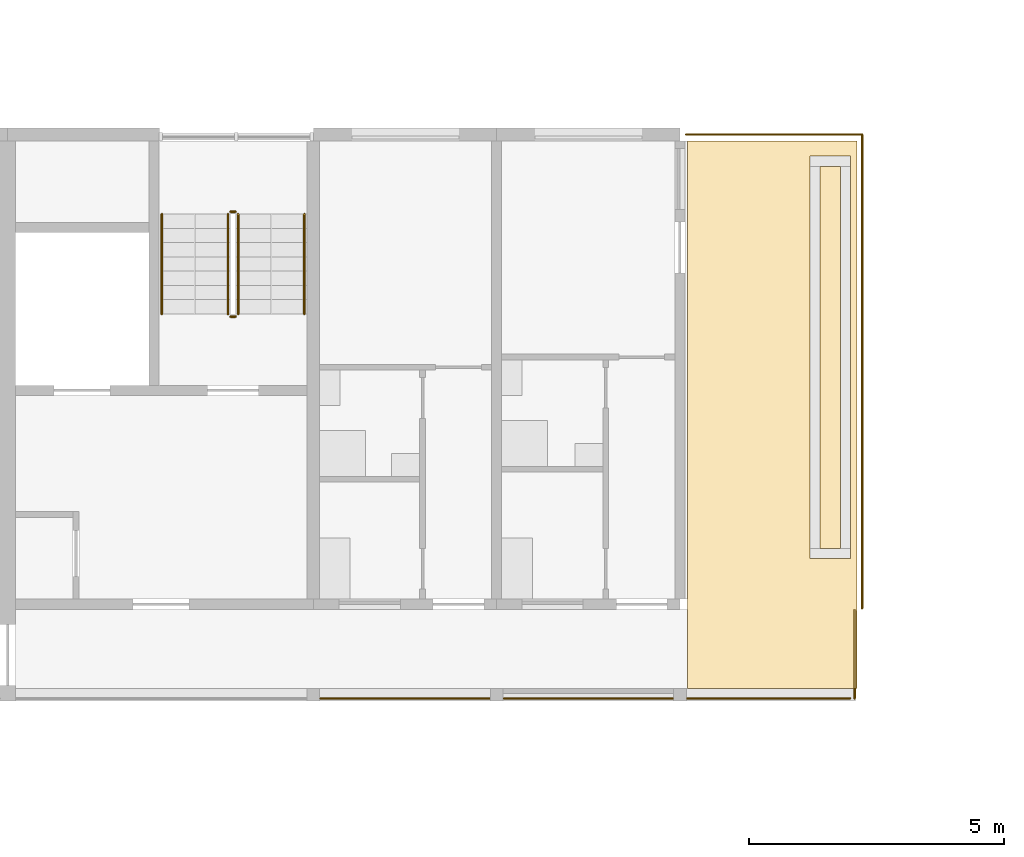
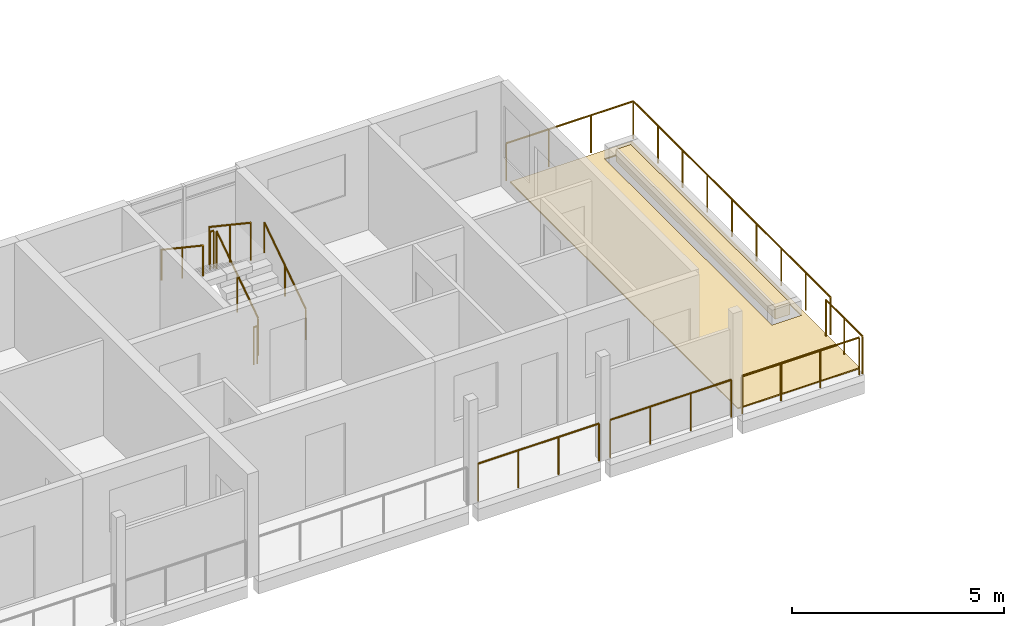
# One storey, part 80 of 93: 11 railings, 3 coverings.
"""IFC4 building model written with IfcOpenShell, lengths in metres."""

import ifcopenshell
import ifcopenshell.guid

model = None  # the IFC model being written
_history = None  # IfcOwnerHistory: only IFC2X3 demands one
_inside = {}  # id of a spatial element -> (the spatial element, [elements in it])
_under = {}  # id of a project, library or spatial element -> (it, [spatial elements below it])
_declared = {}  # id of a project -> (the project, [libraries it declares])
_typed = {}  # id of a type object -> (the type object, [elements of that type])
_made_of = {}  # id of a material, layer set ... -> (it, [elements and type objects made of it])


def new_model(schema):
    """Start an empty IFC model of exactly this schema.

    Asked for "IFC4X3", IfcOpenShell would pick the latest addendum, in which some entities
    have other attributes; the version numbers below select the first issue.
    IFC2X3 requires an IfcOwnerHistory on every rooted entity: one is made here for all.
    """
    global model, _history
    if schema == "IFC4X3":
        model = ifcopenshell.file(schema_version=(4, 3, 0, 0))
    else:
        model = ifcopenshell.file(schema=schema)
    _inside.clear()
    _under.clear()
    _declared.clear()
    _typed.clear()
    _made_of.clear()
    _history = None
    if model.schema == "IFC2X3":
        org = make("IfcOrganization", Name="unknown")
        user = make(
            "IfcPersonAndOrganization",
            ThePerson=make("IfcPerson", FamilyName="unknown"),
            TheOrganization=org,
        )
        app = make(
            "IfcApplication",
            ApplicationDeveloper=org,
            Version="unknown",
            ApplicationFullName="unknown",
            ApplicationIdentifier="unknown",
        )
        _history = make(
            "IfcOwnerHistory",
            OwningUser=user,
            OwningApplication=app,
            ChangeAction="ADDED",
            CreationDate=0,
        )
    return model


def make(cls, **values):
    """One entity of the class cls with the attributes given. An attribute that is None is left unset."""
    return model.create_entity(
        cls, **{name: value for name, value in values.items() if value is not None}
    )


def rooted(cls, **values):
    """An entity with a GlobalId (a new one), such as an element, a storey or a relation."""
    return make(cls, GlobalId=ifcopenshell.guid.new(), OwnerHistory=_history, **values)


def si_unit(unit_type, name, prefix=None):
    """IfcSIUnit, for example si_unit("LENGTHUNIT", "METRE", prefix="MILLI")."""
    return make("IfcSIUnit", UnitType=unit_type, Prefix=prefix, Name=name)


def assignment(units):
    """IfcUnitAssignment: the units of a project."""
    return None if units is None else make("IfcUnitAssignment", Units=units)


def point(xyz):
    """IfcCartesianPoint."""
    return None if xyz is None else make("IfcCartesianPoint", Coordinates=xyz)


def direction(xyz):
    """IfcDirection."""
    return None if xyz is None else make("IfcDirection", DirectionRatios=xyz)


def frame(location, z_axis=None, x_axis=None):
    """IfcAxis2Placement3D, a coordinate frame: its origin and axes. An axis left out is left unset."""
    return make(
        "IfcAxis2Placement3D",
        Location=point(location),
        Axis=direction(z_axis),
        RefDirection=direction(x_axis),
    )


def frame_2d(location, x_axis=None):
    """IfcAxis2Placement2D, a coordinate frame in the plane: its origin and x axis."""
    return make(
        "IfcAxis2Placement2D", Location=point(location), RefDirection=direction(x_axis)
    )


def origin():
    """The frame at (0, 0, 0) with its axes left unset."""
    return frame((0.0, 0.0, 0.0))


def origin_2d():
    """The frame at (0, 0) in the plane with its x axis left unset."""
    return frame_2d((0.0, 0.0))


def place(relative_to, where):
    """IfcLocalPlacement: puts the frame where relative to a parent placement (None: the world)."""
    return make(
        "IfcLocalPlacement", PlacementRelTo=relative_to, RelativePlacement=where
    )


def context(
    kind, dimensions, precision=None, world=None, true_north=None, identifier=None
):
    """IfcGeometricRepresentationContext, for example the 3D "Model" context."""
    return make(
        "IfcGeometricRepresentationContext",
        ContextIdentifier=identifier,
        ContextType=kind,
        CoordinateSpaceDimension=dimensions,
        Precision=precision,
        WorldCoordinateSystem=world,
        TrueNorth=true_north,
    )


def subcontext(parent, identifier, kind, view, scale=None):
    """IfcGeometricRepresentationSubContext, for example "Body" below "Model"."""
    return make(
        "IfcGeometricRepresentationSubContext",
        ContextIdentifier=identifier,
        ContextType=kind,
        ParentContext=parent,
        TargetScale=scale,
        TargetView=view,
    )


def project(units=None, contexts=None):
    """IfcProject with its units and contexts."""
    return rooted(
        "IfcProject",
        Name="project",
        RepresentationContexts=contexts,
        UnitsInContext=assignment(units),
    )


def spatial(cls, under=None, at=None, **own):
    """A site, building, storey or space (cls), placed at a placement, below another one or the project."""
    s = rooted(cls, ObjectPlacement=at, **own)
    if under is not None:
        _under.setdefault(under.id(), (under, []))[1].append(s)
    return s


def polyline(points):
    """IfcPolyline through the points."""
    return make("IfcPolyline", Points=[point(p) for p in points])


def profile(cls, at=None, kind="AREA", **sizes):
    """A parametric profile (cls). Its sizes go by their IFC names, for example OverallWidth=200.0."""
    return make(cls, ProfileType=kind, Position=at, **sizes)


def circle(**sizes):
    """IfcCircleProfileDef."""
    return profile("IfcCircleProfileDef", **sizes)


def outline(outer, holes=None, kind="AREA"):
    """IfcArbitraryClosedProfileDef: a profile drawn as a closed curve; with holes, ...WithVoids."""
    if holes is None:
        return make("IfcArbitraryClosedProfileDef", ProfileType=kind, OuterCurve=outer)
    return make(
        "IfcArbitraryProfileDefWithVoids",
        ProfileType=kind,
        OuterCurve=outer,
        InnerCurves=holes,
    )


def extrude(swept, where, along, depth):
    """IfcExtrudedAreaSolid: the profile swept, set in the frame where, extruded along a direction by depth."""
    return make(
        "IfcExtrudedAreaSolid",
        SweptArea=swept,
        Position=where,
        ExtrudedDirection=direction(along),
        Depth=depth,
    )


def shape(context_of_items, identifier, shape_type, items):
    """IfcShapeRepresentation: the items that make up one representation, for example the "Body"."""
    return make(
        "IfcShapeRepresentation",
        ContextOfItems=context_of_items,
        RepresentationIdentifier=identifier,
        RepresentationType=shape_type,
        Items=items,
    )


def material(Name=None, Category=None):
    """IfcMaterial."""
    return make("IfcMaterial", Name=Name, Category=Category)


def layer(
    of_material, thickness, ventilated=None, Name=None, Category=None, Priority=None
):
    """IfcMaterialLayer: one layer of a wall or slab, of a material (None: an air gap)."""
    return make(
        "IfcMaterialLayer",
        Material=of_material,
        LayerThickness=thickness,
        IsVentilated=ventilated,
        Name=Name,
        Category=Category,
        Priority=Priority,
    )


def layer_set(layers, Name=None):
    """IfcMaterialLayerSet."""
    return make("IfcMaterialLayerSet", MaterialLayers=layers, LayerSetName=Name)


def made_of(thing, what):
    """Note that an element or type object is made of a material, layer set ...; save() writes the relation."""
    if what is not None:
        _made_of.setdefault(what.id(), (what, []))[1].append(thing)
    return thing


def type_object(cls, material=None, **own):
    """A type object (cls), such as IfcWallType, which elements share."""
    return made_of(rooted(cls, **own), material)


def element(
    cls,
    number,
    at=None,
    inside=None,
    cuts=None,
    type_object=None,
    material=None,
    context=None,
    identifier="Body",
    shape_type=None,
    held_by="IfcProductDefinitionShape",
    body=None,
    shapes=None,
    **own,
):
    """One element of the class cls, such as IfcWall. Its Tag is "e" and its number.

    at: its placement. inside: the storey or other place that contains it. cuts: it is an
    opening in that element (IfcRelVoidsElement). A single representation is given by context,
    identifier, shape_type and body (its items); several are given by shapes. held_by: the class
    of the entity that holds the representations. save() writes the other relations.
    """
    e = rooted(cls, Tag="e%d" % number, ObjectPlacement=at, **own)
    if body is not None:
        shapes = [shape(context, identifier, shape_type, body)]
    if shapes is not None:
        e.Representation = make(held_by, Representations=shapes)
    if inside is not None:
        _inside.setdefault(inside.id(), (inside, []))[1].append(e)
    if cuts is not None:
        rooted(
            "IfcRelVoidsElement", RelatingBuildingElement=cuts, RelatedOpeningElement=e
        )
    if type_object is not None:
        _typed.setdefault(type_object.id(), (type_object, []))[1].append(e)
    return made_of(e, material)


def aggregate(whole, parts):
    """IfcRelAggregates: a whole, such as a stair, and the parts it consists of."""
    return rooted("IfcRelAggregates", RelatingObject=whole, RelatedObjects=parts)


def save(model, path):
    """Write the relations noted so far, then the file.

    IfcRelAggregates (storeys below a building ...), IfcRelContainedInSpatialStructure (elements
    in a storey), IfcRelDefinesByType, IfcRelAssociatesMaterial and IfcRelDeclares: one each for
    every whole, place, type object, material and project.
    """
    for whole, parts in _under.values():
        aggregate(whole, parts)
    for where, things in _inside.values():
        rooted(
            "IfcRelContainedInSpatialStructure",
            RelatedElements=things,
            RelatingStructure=where,
        )
    for kind, things in _typed.values():
        rooted("IfcRelDefinesByType", RelatedObjects=things, RelatingType=kind)
    for what, things in _made_of.values():
        rooted("IfcRelAssociatesMaterial", RelatedObjects=things, RelatingMaterial=what)
    for by, libraries in _declared.values():
        rooted("IfcRelDeclares", RelatingContext=by, RelatedDefinitions=libraries)
    model.write(path)


model = new_model("IFC4")

# Units and contexts
model_context = context("Model", 3, precision=1e-05, world=origin(), true_north=direction((0.0, 1.0)))
body_context = subcontext(model_context, "Body", "Model", "MODEL_VIEW")
ifc_project = project(units=[si_unit("LENGTHUNIT", "METRE"), si_unit("AREAUNIT", "SQUARE_METRE"), si_unit("VOLUMEUNIT", "CUBIC_METRE"), si_unit("PLANEANGLEUNIT", "RADIAN"), si_unit("MASSUNIT", "GRAM", prefix="KILO")], contexts=[model_context])

# Site, building, storey
site_placement = place(None, origin())
site = spatial("IfcSite", under=ifc_project, at=site_placement, CompositionType="ELEMENT")
building_placement = place(site_placement, origin())
building = spatial("IfcBuilding", under=site, at=building_placement, Name="Ridgestep Commons", CompositionType="ELEMENT")
storey_placement = place(building_placement, frame((0.0, 0.0, 18.0)))
storey = spatial("IfcBuildingStorey", under=building, at=storey_placement, Name="L06", CompositionType="ELEMENT", Elevation=18.0)

# Railings
ifc_material_1 = material(Name="Structural steel S355JR", Category="steel")
railing_type_1 = type_object("IfcRailingType", Name="Guard 1100", PredefinedType="GUARDRAIL", material=ifc_material_1)
railing_1_placement = place(storey_placement, frame((112.779052734375, 67.821044921875, 0.0)))
element("IfcRailing", 1, at=railing_1_placement, inside=storey, type_object=railing_type_1, Name="Guard TD-B6R1-GD", PredefinedType="GUARDRAIL", context=body_context, shape_type="SweptSolid", body=[
    extrude(circle(Radius=0.02392578125, at=origin_2d()), frame((0.0, 0.0, 1.076171875), z_axis=(0.0, 1.0, 0.0), x_axis=(-1.0, 0.0, 0.0)), (0.0, 0.0, 1.0), 9.303955078125),
    extrude(circle(Radius=0.02392578125, at=origin_2d()), frame((0.0, 9.303955078125, 1.076171875), z_axis=(-1.0, 0.0, 0.0), x_axis=(0.0, -1.0, 0.0)), (0.0, 0.0, 1.0), 3.4580078125),
    extrude(circle(Radius=0.02099609375, at=origin_2d()), origin(), (0.0, 0.0, 1.0), 1.052001953125),
    extrude(circle(Radius=0.02099609375, at=origin_2d()), frame((0.0, 1.1630859375, 0.0)), (0.0, 0.0, 1.0), 1.052001953125),
    extrude(circle(Radius=0.02099609375, at=origin_2d()), frame((0.0, 2.325927734375, 0.0)), (0.0, 0.0, 1.0), 1.052001953125),
    extrude(circle(Radius=0.02099609375, at=origin_2d()), frame((0.0, 3.489013671875, 0.0)), (0.0, 0.0, 1.0), 1.052001953125),
    extrude(circle(Radius=0.02099609375, at=origin_2d()), frame((0.0, 4.65185546875, 0.0)), (0.0, 0.0, 1.0), 1.052001953125),
    extrude(circle(Radius=0.02099609375, at=origin_2d()), frame((0.0, 5.81494140625, 0.0)), (0.0, 0.0, 1.0), 1.052001953125),
    extrude(circle(Radius=0.02099609375, at=origin_2d()), frame((0.0, 6.97802734375, 0.0)), (0.0, 0.0, 1.0), 1.052001953125),
    extrude(circle(Radius=0.02099609375, at=origin_2d()), frame((0.0, 8.140869140625, 0.0)), (0.0, 0.0, 1.0), 1.052001953125),
    extrude(circle(Radius=0.02099609375, at=origin_2d()), frame((0.0, 9.303955078125, 0.0)), (0.0, 0.0, 1.0), 1.052001953125),
    extrude(circle(Radius=0.02099609375, at=origin_2d()), frame((-1.152587890625, 9.303955078125, 0.0)), (0.0, 0.0, 1.0), 1.052001953125),
    extrude(circle(Radius=0.02099609375, at=origin_2d()), frame((-2.305419921875, 9.303955078125, 0.0)), (0.0, 0.0, 1.0), 1.052001953125),
    extrude(circle(Radius=0.02099609375, at=origin_2d()), frame((-3.4580078125, 9.303955078125, 0.0)), (0.0, 0.0, 1.0), 1.052001953125),
])
railing_2_placement = place(storey_placement, frame((102.14599609375, 66.050048828125, 0.0)))
element("IfcRailing", 2, at=railing_2_placement, inside=storey, type_object=railing_type_1, Name="Gallery guard B 06.22", PredefinedType="GUARDRAIL", context=body_context, shape_type="SweptSolid", body=[
    extrude(circle(Radius=0.02392578125, at=origin_2d()), frame((0.0, 0.0, 1.076171875), z_axis=(1.0, 0.0, 0.0), x_axis=(0.0, 1.0, 0.0)), (0.0, 0.0, 1.0), 3.30810546875),
    extrude(circle(Radius=0.02099609375, at=origin_2d()), origin(), (0.0, 0.0, 1.0), 1.052001953125),
    extrude(circle(Radius=0.02099609375, at=origin_2d()), frame((1.102783203125, 0.0, 0.0)), (0.0, 0.0, 1.0), 1.052001953125),
    extrude(circle(Radius=0.02099609375, at=origin_2d()), frame((2.205322265625, 0.0, 0.0)), (0.0, 0.0, 1.0), 1.052001953125),
    extrude(circle(Radius=0.02099609375, at=origin_2d()), frame((3.30810546875, 0.0, 0.0)), (0.0, 0.0, 1.0), 1.052001953125),
])
railing_3_placement = place(storey_placement, frame((105.74609375, 66.050048828125, 0.0)))
element("IfcRailing", 3, at=railing_3_placement, inside=storey, type_object=railing_type_1, Name="Gallery guard B 06.23", PredefinedType="GUARDRAIL", context=body_context, shape_type="SweptSolid", body=[
    extrude(circle(Radius=0.02392578125, at=origin_2d()), frame((0.0, 0.0, 1.076171875), z_axis=(1.0, 0.0, 0.0), x_axis=(0.0, 1.0, 0.0)), (0.0, 0.0, 1.0), 3.307861328125),
    extrude(circle(Radius=0.02099609375, at=origin_2d()), origin(), (0.0, 0.0, 1.0), 1.052001953125),
    extrude(circle(Radius=0.02099609375, at=origin_2d()), frame((1.1025390625, 0.0, 0.0)), (0.0, 0.0, 1.0), 1.052001953125),
    extrude(circle(Radius=0.02099609375, at=origin_2d()), frame((2.205322265625, 0.0, 0.0)), (0.0, 0.0, 1.0), 1.052001953125),
    extrude(circle(Radius=0.02099609375, at=origin_2d()), frame((3.307861328125, 0.0, 0.0)), (0.0, 0.0, 1.0), 1.052001953125),
])
railing_4_placement = place(storey_placement, frame((109.345947265625, 66.050048828125, 0.0)))
element("IfcRailing", 4, at=railing_4_placement, inside=storey, type_object=railing_type_1, Name="Gallery guard B 06.24", PredefinedType="GUARDRAIL", context=body_context, shape_type="SweptSolid", body=[
    extrude(circle(Radius=0.02392578125, at=origin_2d()), frame((0.0, 0.0, 1.076171875), z_axis=(1.0, 0.0, 0.0), x_axis=(0.0, 1.0, 0.0)), (0.0, 0.0, 1.0), 3.193115234375),
    extrude(circle(Radius=0.02099609375, at=origin_2d()), origin(), (0.0, 0.0, 1.0), 1.052001953125),
    extrude(circle(Radius=0.02099609375, at=origin_2d()), frame((1.064453125, 0.0, 0.0)), (0.0, 0.0, 1.0), 1.052001953125),
    extrude(circle(Radius=0.02099609375, at=origin_2d()), frame((2.128662109375, 0.0, 0.0)), (0.0, 0.0, 1.0), 1.052001953125),
    extrude(circle(Radius=0.02099609375, at=origin_2d()), frame((3.193115234375, 0.0, 0.0)), (0.0, 0.0, 1.0), 1.052001953125),
])
railing_5_placement = place(storey_placement, frame((112.62890625, 66.050048828125, 0.0)))
element("IfcRailing", 5, at=railing_5_placement, inside=storey, type_object=railing_type_1, Name="Gallery end guard B 06.24E", PredefinedType="GUARDRAIL", context=body_context, shape_type="SweptSolid", body=[
    extrude(circle(Radius=0.02392578125, at=origin_2d()), frame((0.0, 0.0, 1.076171875), z_axis=(0.0, 1.0, 0.0), x_axis=(-1.0, 0.0, 0.0)), (0.0, 0.0, 1.0), 1.72900390625),
    extrude(circle(Radius=0.02099609375, at=origin_2d()), origin(), (0.0, 0.0, 1.0), 1.052001953125),
    extrude(circle(Radius=0.02099609375, at=origin_2d()), frame((0.0, 0.864501953125, 0.0)), (0.0, 0.0, 1.0), 1.052001953125),
    extrude(circle(Radius=0.02099609375, at=origin_2d()), frame((0.0, 1.72900390625, 0.0)), (0.0, 0.0, 1.0), 1.052001953125),
])

# Covering
ifc_material_2 = material(Name="Planting soil")
ifc_layer_1 = layer(ifc_material_2, 0.35009765625)
ifc_layer_set_1 = layer_set([ifc_layer_1], Name="Planting soil 350")
covering_type_1 = type_object("IfcCoveringType", Name="Planting soil 350", PredefinedType="FLOORING", material=ifc_layer_set_1)
covering_1_placement = place(storey_placement, frame((0.0, 0.0, 0.010009765625)))
element("IfcCovering", 6, at=covering_1_placement, inside=storey, type_object=covering_type_1, Name="Planting soil B6R1", PredefinedType="FLOORING", context=body_context, shape_type="SweptSolid", body=[
    extrude(outline(polyline([(111.949951171875, 69.0), (112.35009765625, 69.0), (112.35009765625, 76.5), (111.949951171875, 76.5), (111.949951171875, 69.0)])), origin(), (0.0, 0.0, 1.0), 0.35009765625),
])

# Railings
ifc_material_3 = material(Name="Structural steel S355JR", Category="steel")
railing_type_2 = type_object("IfcRailingType", Name="Stair guard 1100", PredefinedType="GUARDRAIL", material=ifc_material_3)
railing_6_placement = place(storey_placement, frame((100.52490234375, 73.60009765625, 0.1875)))
element("IfcRailing", 7, at=railing_6_placement, inside=storey, type_object=railing_type_2, Name="L06 B6C stair guard 1", PredefinedType="GUARDRAIL", context=body_context, shape_type="SweptSolid", body=[
    extrude(circle(Radius=0.02392578125, at=origin_2d()), frame((0.0, 0.0, 1.076171875), z_axis=(0.0, 0.830902050051, 0.556418712142), x_axis=(-1.0, 0.0, 0.0)), (0.0, 0.0, 1.0), 2.35888671875),
    extrude(circle(Radius=0.02099609375, at=origin_2d()), origin(), (0.0, 0.0, 1.0), 1.052001953125),
    extrude(circle(Radius=0.02099609375, at=origin_2d()), frame((0.0, 0.97998046875, 0.65625)), (0.0, 0.0, 1.0), 1.052001953125),
    extrude(circle(Radius=0.02099609375, at=origin_2d()), frame((0.0, 1.9599609375, 1.3125)), (0.0, 0.0, 1.0), 1.052001953125),
])
railing_7_placement = place(storey_placement, frame((100.47509765625, 75.610107421875, 1.5)))
element("IfcRailing", 8, at=railing_7_placement, inside=storey, type_object=railing_type_2, Name="L06 B6C stair guard 2", PredefinedType="GUARDRAIL", context=body_context, shape_type="SweptSolid", body=[
    extrude(circle(Radius=0.02392578125, at=origin_2d()), frame((0.0, 0.0, 1.076171875), z_axis=(-1.0, 0.0, 0.0), x_axis=(0.0, -1.0, 0.0)), (0.0, 0.0, 1.0), 0.10009765625),
    extrude(circle(Radius=0.02099609375, at=origin_2d()), origin(), (0.0, 0.0, 1.0), 1.052001953125),
    extrude(circle(Radius=0.02099609375, at=origin_2d()), frame((-0.10009765625, 0.0, 0.0)), (0.0, 0.0, 1.0), 1.052001953125),
])
railing_8_placement = place(storey_placement, frame((100.324951171875, 75.56005859375, 1.6875)))
element("IfcRailing", 9, at=railing_8_placement, inside=storey, type_object=railing_type_2, Name="L06 B6C stair guard 3", PredefinedType="GUARDRAIL", context=body_context, shape_type="SweptSolid", body=[
    extrude(circle(Radius=0.02392578125, at=origin_2d()), frame((0.0, 0.0, 1.076171875), z_axis=(0.0, -0.830902050051, 0.556418712142), x_axis=(1.0, 0.0, 0.0)), (0.0, 0.0, 1.0), 2.35888671875),
    extrude(circle(Radius=0.02099609375, at=origin_2d()), origin(), (0.0, 0.0, 1.0), 1.052001953125),
    extrude(circle(Radius=0.02099609375, at=origin_2d()), frame((0.0, -0.97998046875, 0.65625)), (0.0, 0.0, 1.0), 1.052001953125),
    extrude(circle(Radius=0.02099609375, at=origin_2d()), frame((0.0, -1.9599609375, 1.3125)), (0.0, 0.0, 1.0), 1.052001953125),
])
railing_9_placement = place(storey_placement, frame((100.47509765625, 73.550048828125, 0.0)))
element("IfcRailing", 10, at=railing_9_placement, inside=storey, type_object=railing_type_2, Name="L06 B6C stair guard 4", PredefinedType="GUARDRAIL", context=body_context, shape_type="SweptSolid", body=[
    extrude(circle(Radius=0.02392578125, at=origin_2d()), frame((0.0, 0.0, 1.076171875), z_axis=(-1.0, 0.0, 0.0), x_axis=(0.0, -1.0, 0.0)), (0.0, 0.0, 1.0), 0.10009765625),
    extrude(circle(Radius=0.02099609375, at=origin_2d()), origin(), (0.0, 0.0, 1.0), 1.052001953125),
    extrude(circle(Radius=0.02099609375, at=origin_2d()), frame((-0.10009765625, 0.0, 0.0)), (0.0, 0.0, 1.0), 1.052001953125),
])
ifc_material_4 = material(Name="Structural steel S355JR", Category="steel")
railing_type_3 = type_object("IfcRailingType", Name="Stair handrail 900", PredefinedType="HANDRAIL", material=ifc_material_4)
railing_10_placement = place(storey_placement, frame((101.824951171875, 73.60009765625, 0.1875)))
element("IfcRailing", 11, at=railing_10_placement, inside=storey, type_object=railing_type_3, Name="L06 B6C stair handrail 1", PredefinedType="HANDRAIL", context=body_context, shape_type="SweptSolid", body=[
    extrude(circle(Radius=0.02392578125, at=origin_2d()), frame((0.0, 0.0, 0.8759765625), z_axis=(0.0, 0.830902050051, 0.556418712142), x_axis=(-1.0, 0.0, 0.0)), (0.0, 0.0, 1.0), 2.35888671875),
    extrude(circle(Radius=0.02099609375, at=origin_2d()), origin(), (0.0, 0.0, 1.0), 0.851806640625),
    extrude(circle(Radius=0.02099609375, at=origin_2d()), frame((0.0, 0.97998046875, 0.65625)), (0.0, 0.0, 1.0), 0.851806640625),
    extrude(circle(Radius=0.02099609375, at=origin_2d()), frame((0.0, 1.9599609375, 1.3125)), (0.0, 0.0, 1.0), 0.851806640625),
])
railing_11_placement = place(storey_placement, frame((99.02490234375, 75.56005859375, 1.6875)))
element("IfcRailing", 12, at=railing_11_placement, inside=storey, type_object=railing_type_3, Name="L06 B6C stair handrail 2", PredefinedType="HANDRAIL", context=body_context, shape_type="SweptSolid", body=[
    extrude(circle(Radius=0.02392578125, at=origin_2d()), frame((0.0, 0.0, 0.8759765625), z_axis=(0.0, -0.830902050051, 0.556418712142), x_axis=(1.0, 0.0, 0.0)), (0.0, 0.0, 1.0), 2.35888671875),
    extrude(circle(Radius=0.02099609375, at=origin_2d()), origin(), (0.0, 0.0, 1.0), 0.851806640625),
    extrude(circle(Radius=0.02099609375, at=origin_2d()), frame((0.0, -0.97998046875, 0.65625)), (0.0, 0.0, 1.0), 0.851806640625),
    extrude(circle(Radius=0.02099609375, at=origin_2d()), frame((0.0, -1.9599609375, 1.3125)), (0.0, 0.0, 1.0), 0.851806640625),
])

# Coverings
ifc_material_5 = material(Name="Bitumen membrane, two layer")
ifc_layer_2 = layer(ifc_material_5, 0.010009765625)
ifc_layer_set_2 = layer_set([ifc_layer_2], Name="Terrace membrane 10")
covering_type_2 = type_object("IfcCoveringType", Name="Terrace membrane 10", PredefinedType="ROOFING", material=ifc_layer_set_2)
covering_2_placement = place(storey_placement, origin())
element("IfcCovering", 13, at=covering_2_placement, inside=storey, type_object=covering_type_2, Name="Terrace membrane B6R1", PredefinedType="ROOFING", context=body_context, shape_type="SweptSolid", body=[
    extrude(outline(polyline([(112.675048828125, 66.25), (112.675048828125, 77.0), (109.35009765625, 77.0), (109.35009765625, 66.25), (112.675048828125, 66.25)]), holes=[polyline([(112.550048828125, 68.800048828125), (112.550048828125, 76.699951171875), (111.75, 76.699951171875), (111.75, 68.800048828125), (112.550048828125, 68.800048828125)])]), origin(), (0.0, 0.0, 1.0), 0.010009765625),
])
ifc_material_6 = material(Name="Concrete paving slab", Category="concrete")
ifc_layer_3 = layer(ifc_material_6, 0.030029296875)
ifc_layer_set_3 = layer_set([ifc_layer_3], Name="Terrace paving 30")
covering_type_3 = type_object("IfcCoveringType", Name="Terrace paving 30", PredefinedType="FLOORING", material=ifc_layer_set_3)
covering_3_placement = place(storey_placement, frame((0.0, 0.0, 0.010009765625)))
element("IfcCovering", 14, at=covering_3_placement, inside=storey, type_object=covering_type_3, Name="Terrace paving B6R1", PredefinedType="FLOORING", context=body_context, shape_type="SweptSolid", body=[
    extrude(outline(polyline([(112.675048828125, 66.25), (112.675048828125, 77.0), (109.35009765625, 77.0), (109.35009765625, 66.25), (112.675048828125, 66.25)]), holes=[polyline([(112.550048828125, 68.800048828125), (112.550048828125, 76.699951171875), (111.75, 76.699951171875), (111.75, 68.800048828125), (112.550048828125, 68.800048828125)])]), origin(), (0.0, 0.0, 1.0), 0.030029296875),
])

save(model, "model.ifc")
